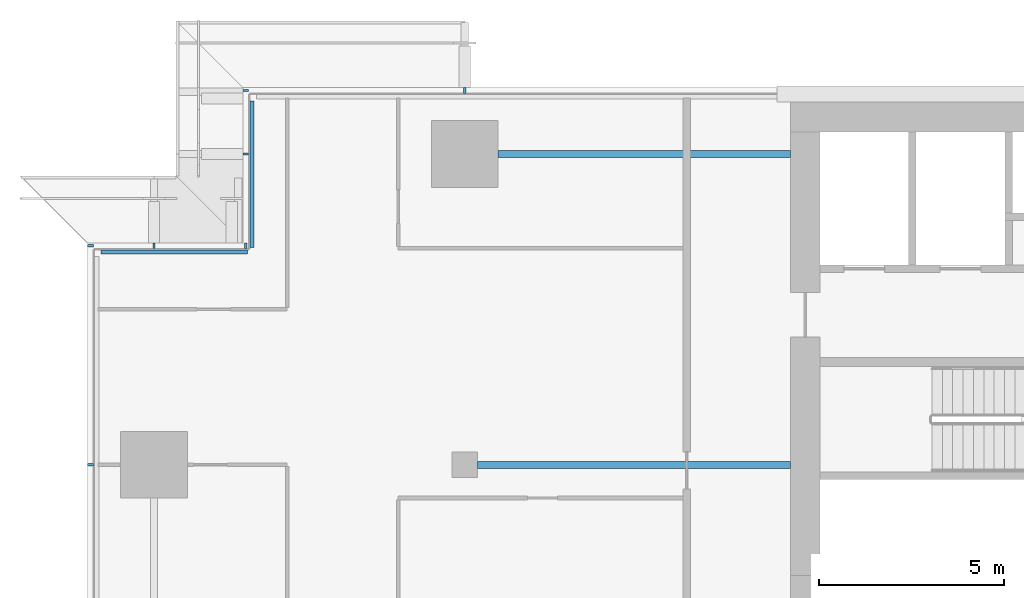
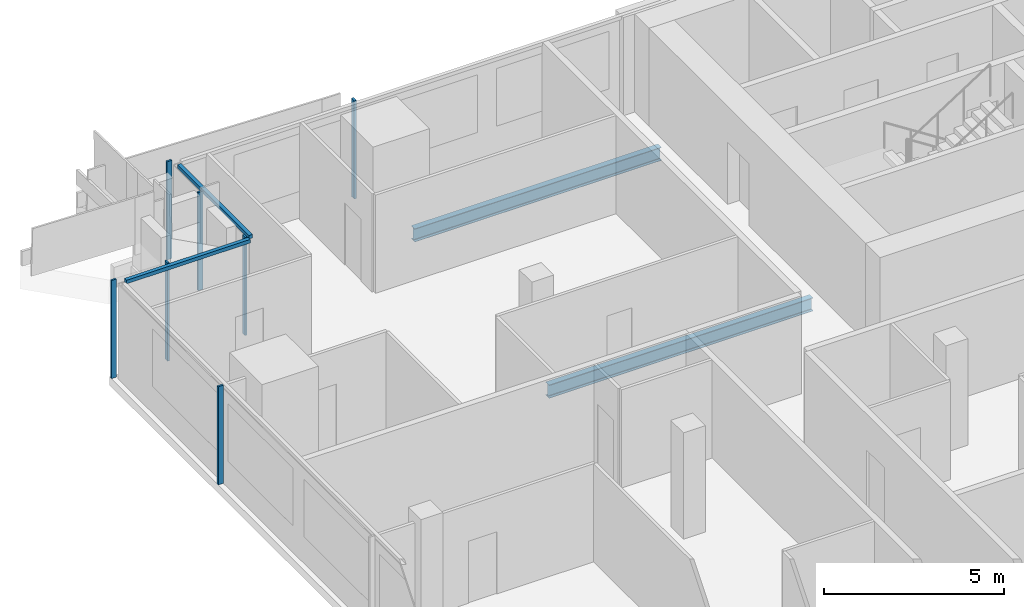
# One storey, part 10 of 30: 9 members, 2 beams, 4 elements without a shape of their own.
"""IFC4 building model written with IfcOpenShell, lengths in metres."""

from ifc_helpers import new_model, si_unit, direction, frame, origin, origin_2d, place, context, subcontext, project, spatial, rectangle, i_section, extrude, material, material_profile, profile_set, type_object, element, aggregate, save


model = new_model("IFC4")

# Units and contexts
model_context = context("Model", 3, precision=1e-05, world=origin(), true_north=direction((0.0, 1.0)))
body_context = subcontext(model_context, "Body", "Model", "MODEL_VIEW")
ifc_project = project(units=[si_unit("LENGTHUNIT", "METRE"), si_unit("AREAUNIT", "SQUARE_METRE"), si_unit("VOLUMEUNIT", "CUBIC_METRE"), si_unit("PLANEANGLEUNIT", "RADIAN"), si_unit("MASSUNIT", "GRAM", prefix="KILO")], contexts=[model_context])

# Site, building, storey
site_placement = place(None, origin())
site = spatial("IfcSite", under=ifc_project, at=site_placement, CompositionType="ELEMENT")
building_placement = place(site_placement, origin())
building = spatial("IfcBuilding", under=site, at=building_placement, Name="Saffron Gate Tower", CompositionType="ELEMENT")
storey_placement = place(building_placement, frame((0.0, 0.0, 179.85009765625)))
storey = spatial("IfcBuildingStorey", under=building, at=storey_placement, Name="L44", CompositionType="ELEMENT", Elevation=179.85009765625)

# Beams
ifc_material_1 = material(Name="Structural steel S355", Category="steel")
ifc_material_profile_1 = material_profile(ifc_material_1, i_section(OverallWidth=0.18994140625, OverallDepth=0.449951171875, WebThickness=0.009521484375, FlangeThickness=0.0146484375, FilletRadius=0.02099609375, at=origin_2d()))
ifc_profile_set_1 = profile_set([ifc_material_profile_1], Name="Structural steel S355")
beam_type = type_object("IfcBeamType", Name="B6 IPE 450", PredefinedType="BEAM", material=ifc_profile_set_1)
beam_1_placement = place(storey_placement, frame((58.550048828125, 65.39990234375, -0.505126953125), z_axis=(1.0, 0.0, 0.0), x_axis=(0.0, 1.0, 0.0)))
element("IfcBeam", 1, at=beam_1_placement, inside=storey, type_object=beam_type, Name="B6 CORE TIE BEAM", PredefinedType="BEAM", context=body_context, shape_type="SweptSolid", body=[
    extrude(i_section(OverallWidth=0.18994140625, OverallDepth=0.449951171875, WebThickness=0.009521484375, FlangeThickness=0.0146484375, FilletRadius=0.02099609375, at=origin_2d()), origin(), (0.0, 0.0, 1.0), 8.449951171875),
])
beam_2_placement = place(storey_placement, frame((59.10009765625, 73.800048828125, -0.505126953125), z_axis=(1.0, 0.0, 0.0), x_axis=(0.0, 1.0, 0.0)))
element("IfcBeam", 2, at=beam_2_placement, inside=storey, type_object=beam_type, Name="B6 CORE TIE BEAM", PredefinedType="BEAM", context=body_context, shape_type="SweptSolid", body=[
    extrude(i_section(OverallWidth=0.18994140625, OverallDepth=0.449951171875, WebThickness=0.009521484375, FlangeThickness=0.0146484375, FilletRadius=0.02099609375, at=origin_2d()), origin(), (0.0, 0.0, 1.0), 7.89990234375),
])

# Curtain wall, members
ifc_material_2 = material(Name="Aluminium, bronze anodised", Category="aluminium")
curtain_wall_type_1 = type_object("IfcCurtainWallType", Name="CWS2 curtain wall side facades", PredefinedType="NOTDEFINED", material=ifc_material_2)
curtain_wall_1_placement = place(storey_placement, origin())
curtain_wall_1 = element("IfcCurtainWall", 3, at=curtain_wall_1_placement, inside=storey, type_object=curtain_wall_type_1, Name="CWS2 run 10", PredefinedType="NOTDEFINED")
ifc_material_profile_2 = material_profile(ifc_material_2, rectangle(XDim=0.159912109375, YDim=0.06005859375, at=origin_2d()))
ifc_profile_set_2 = profile_set([ifc_material_profile_2], Name="Aluminium, bronze anodised")
member_type_1 = type_object("IfcMemberType", Name="CWS2 mullion 60x160", PredefinedType="MULLION", material=ifc_profile_set_2)
member_1_placement = place(storey_placement, frame((48.080078125, 71.320068359375, 0.0), z_axis=(0.0, 0.0, 1.0), x_axis=(1.0, 0.0, 0.0)))
member_1 = element("IfcMember", 4, at=member_1_placement, type_object=member_type_1, Name="CWS2 mullion 1", PredefinedType="MULLION", context=body_context, shape_type="SweptSolid", body=[
    extrude(rectangle(XDim=0.159912109375, YDim=0.06005859375, at=origin_2d()), origin(), (0.0, 0.0, 1.0), 3.31982421875),
])
member_2_placement = place(storey_placement, frame((48.080078125, 65.39990234375, 0.0), z_axis=(0.0, 0.0, 1.0), x_axis=(1.0, 0.0, 0.0)))
member_2 = element("IfcMember", 5, at=member_2_placement, type_object=member_type_1, Name="CWS2 mullion 2", PredefinedType="MULLION", context=body_context, shape_type="SweptSolid", body=[
    extrude(rectangle(XDim=0.159912109375, YDim=0.06005859375, at=origin_2d()), origin(), (0.0, 0.0, 1.0), 3.31982421875),
])
aggregate(curtain_wall_1, [member_1, member_2])

# Curtain wall, member
curtain_wall_type_2 = type_object("IfcCurtainWallType", Name="CWS3 curtain wall rear facade", PredefinedType="NOTDEFINED", material=ifc_material_2)
curtain_wall_2_placement = place(storey_placement, origin())
curtain_wall_2 = element("IfcCurtainWall", 6, at=curtain_wall_2_placement, inside=storey, type_object=curtain_wall_type_2, Name="CWS3 run 7", PredefinedType="NOTDEFINED")
ifc_material_profile_3 = material_profile(ifc_material_2, rectangle(XDim=0.159912109375, YDim=0.070068359375, at=origin_2d()))
ifc_profile_set_3 = profile_set([ifc_material_profile_3], Name="Aluminium, bronze anodised")
member_type_2 = type_object("IfcMemberType", Name="CWS3 mullion 70x160", PredefinedType="MULLION", material=ifc_profile_set_3)
member_3_placement = place(storey_placement, frame((58.199951171875, 75.52001953125, 0.0), z_axis=(0.0, 0.0, 1.0), x_axis=(0.0, -1.0, 0.0)))
member_3 = element("IfcMember", 7, at=member_3_placement, type_object=member_type_2, Name="CWS3 mullion 9", PredefinedType="MULLION", context=body_context, shape_type="SweptSolid", body=[
    extrude(rectangle(XDim=0.159912109375, YDim=0.070068359375, at=origin_2d()), origin(), (0.0, 0.0, 1.0), 3.31982421875),
])
aggregate(curtain_wall_2, [member_3])

curtain_wall_type_3 = type_object("IfcCurtainWallType", Name="CWS4 curtain wall corner returns", PredefinedType="NOTDEFINED", material=ifc_material_2)
curtain_wall_3_placement = place(storey_placement, origin())
curtain_wall_3 = element("IfcCurtainWall", 8, at=curtain_wall_3_placement, inside=storey, type_object=curtain_wall_type_3, Name="CWS4 run 8", PredefinedType="NOTDEFINED")
ifc_material_profile_4 = material_profile(ifc_material_2, rectangle(XDim=0.1201171875, YDim=0.1201171875, at=origin_2d()))
ifc_profile_set_4 = profile_set([ifc_material_profile_4], Name="Aluminium, bronze anodised")
member_type_3 = type_object("IfcMemberType", Name="CWS4 head transom", PredefinedType="USERDEFINED", material=ifc_profile_set_4)
member_4_placement = place(storey_placement, frame((52.447998046875, 75.23193359375, 3.260009765625), z_axis=(0.0, -1.0, 0.0), x_axis=(1.0, 0.0, 0.0)))
member_4 = element("IfcMember", 9, at=member_4_placement, type_object=member_type_3, Name="CWS4 head transom", ObjectType="TRANSOM", PredefinedType="USERDEFINED", context=body_context, shape_type="SweptSolid", body=[
    extrude(rectangle(XDim=0.1201171875, YDim=0.1201171875, at=origin_2d()), origin(), (0.0, 0.0, 1.0), 3.9599609375),
])

curtain_wall_4_placement = place(storey_placement, origin())
curtain_wall_4 = element("IfcCurtainWall", 10, at=curtain_wall_4_placement, inside=storey, type_object=curtain_wall_type_3, Name="CWS4 run 9", PredefinedType="NOTDEFINED")
member_5_placement = place(storey_placement, frame((52.327880859375, 71.152099609375, 3.260009765625), z_axis=(-1.0, 0.0, 0.0), x_axis=(0.0, -1.0, 0.0)))
member_5 = element("IfcMember", 11, at=member_5_placement, type_object=member_type_3, Name="CWS4 head transom", ObjectType="TRANSOM", PredefinedType="USERDEFINED", context=body_context, shape_type="SweptSolid", body=[
    extrude(rectangle(XDim=0.1201171875, YDim=0.1201171875, at=origin_2d()), origin(), (0.0, 0.0, 1.0), 3.9599609375),
])

# Member
ifc_material_profile_5 = material_profile(ifc_material_2, rectangle(XDim=0.159912109375, YDim=0.06005859375, at=origin_2d()))
ifc_profile_set_5 = profile_set([ifc_material_profile_5], Name="Aluminium, bronze anodised")
member_type_4 = type_object("IfcMemberType", Name="CWS4 mullion 60x160", PredefinedType="MULLION", material=ifc_profile_set_5)
member_6_placement = place(storey_placement, frame((52.280029296875, 75.52001953125, 0.0), z_axis=(0.0, 0.0, 1.0), x_axis=(1.0, 0.0, 0.0)))
member_6 = element("IfcMember", 12, at=member_6_placement, type_object=member_type_4, Name="CWS4 mullion 1", PredefinedType="MULLION", context=body_context, shape_type="SweptSolid", body=[
    extrude(rectangle(XDim=0.159912109375, YDim=0.06005859375, at=origin_2d()), origin(), (0.0, 0.0, 1.0), 3.31982421875),
])

member_7_placement = place(storey_placement, frame((52.280029296875, 73.800048828125, 0.0), z_axis=(0.0, 0.0, 1.0), x_axis=(1.0, 0.0, 0.0)))
member_7 = element("IfcMember", 13, at=member_7_placement, type_object=member_type_4, Name="CWS4 mullion 2", PredefinedType="MULLION", context=body_context, shape_type="SweptSolid", body=[
    extrude(rectangle(XDim=0.159912109375, YDim=0.06005859375, at=origin_2d()), origin(), (0.0, 0.0, 1.0), 3.31982421875),
])

aggregate(curtain_wall_3, [member_6, member_7, member_4])

member_8_placement = place(storey_placement, frame((52.280029296875, 71.320068359375, 0.0), z_axis=(0.0, 0.0, 1.0), x_axis=(0.0, -1.0, 0.0)))
member_8 = element("IfcMember", 14, at=member_8_placement, type_object=member_type_4, Name="CWS4 mullion 1", PredefinedType="MULLION", context=body_context, shape_type="SweptSolid", body=[
    extrude(rectangle(XDim=0.159912109375, YDim=0.06005859375, at=origin_2d()), origin(), (0.0, 0.0, 1.0), 3.31982421875),
])

member_9_placement = place(storey_placement, frame((49.800048828125, 71.320068359375, 0.0), z_axis=(0.0, 0.0, 1.0), x_axis=(0.0, -1.0, 0.0)))
member_9 = element("IfcMember", 15, at=member_9_placement, type_object=member_type_4, Name="CWS4 mullion 2", PredefinedType="MULLION", context=body_context, shape_type="SweptSolid", body=[
    extrude(rectangle(XDim=0.159912109375, YDim=0.06005859375, at=origin_2d()), origin(), (0.0, 0.0, 1.0), 3.31982421875),
])

aggregate(curtain_wall_4, [member_8, member_9, member_5])

save(model, "model.ifc")
